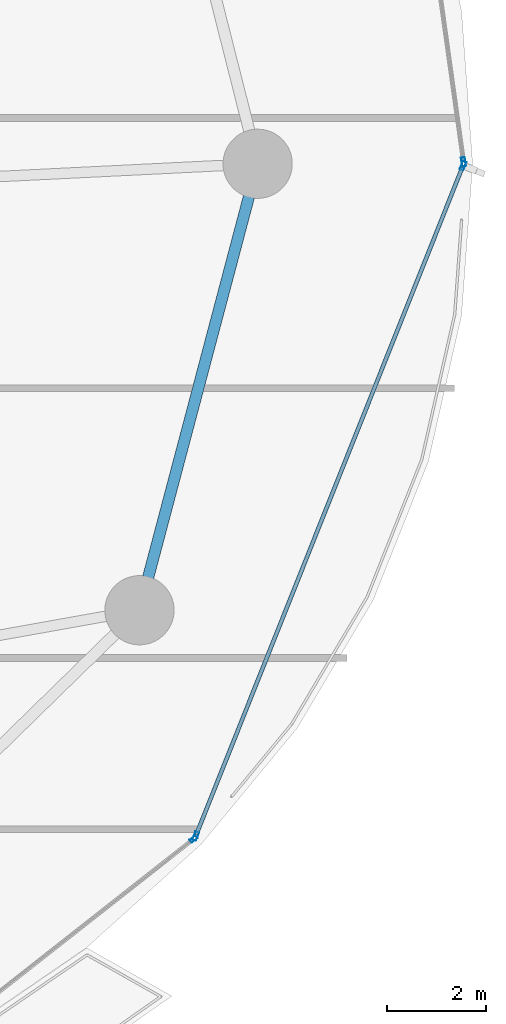
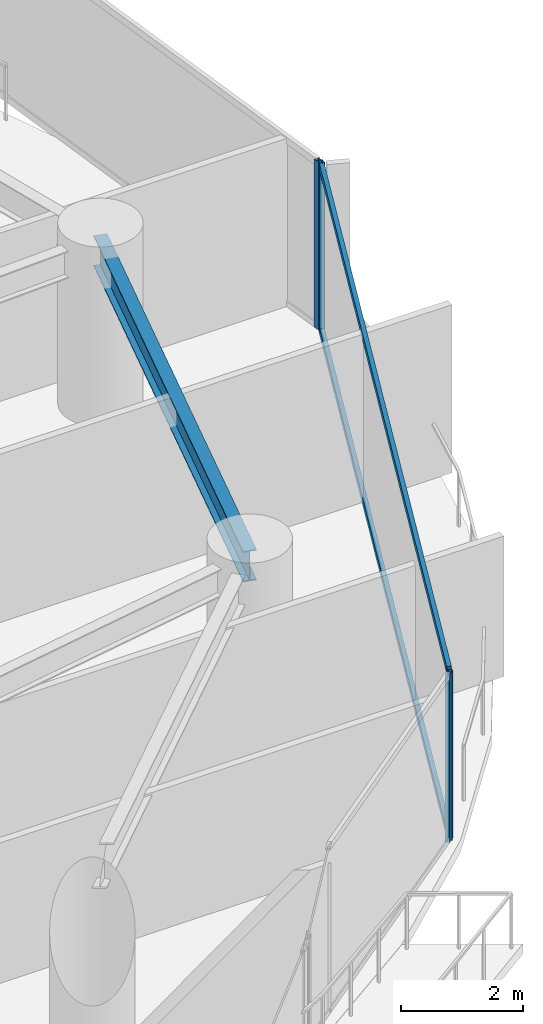
# One storey, part 22 of 31: 6 members, 1 beam, 3 elements without a shape of their own.
"""IFC4 building model written with IfcOpenShell, lengths in metres."""

import ifcopenshell
import ifcopenshell.guid

model = None  # the IFC model being written
_history = None  # IfcOwnerHistory: only IFC2X3 demands one
_inside = {}  # id of a spatial element -> (the spatial element, [elements in it])
_under = {}  # id of a project, library or spatial element -> (it, [spatial elements below it])
_declared = {}  # id of a project -> (the project, [libraries it declares])
_typed = {}  # id of a type object -> (the type object, [elements of that type])
_made_of = {}  # id of a material, layer set ... -> (it, [elements and type objects made of it])


def new_model(schema):
    """Start an empty IFC model of exactly this schema.

    Asked for "IFC4X3", IfcOpenShell would pick the latest addendum, in which some entities
    have other attributes; the version numbers below select the first issue.
    IFC2X3 requires an IfcOwnerHistory on every rooted entity: one is made here for all.
    """
    global model, _history
    if schema == "IFC4X3":
        model = ifcopenshell.file(schema_version=(4, 3, 0, 0))
    else:
        model = ifcopenshell.file(schema=schema)
    _inside.clear()
    _under.clear()
    _declared.clear()
    _typed.clear()
    _made_of.clear()
    _history = None
    if model.schema == "IFC2X3":
        org = make("IfcOrganization", Name="unknown")
        user = make(
            "IfcPersonAndOrganization",
            ThePerson=make("IfcPerson", FamilyName="unknown"),
            TheOrganization=org,
        )
        app = make(
            "IfcApplication",
            ApplicationDeveloper=org,
            Version="unknown",
            ApplicationFullName="unknown",
            ApplicationIdentifier="unknown",
        )
        _history = make(
            "IfcOwnerHistory",
            OwningUser=user,
            OwningApplication=app,
            ChangeAction="ADDED",
            CreationDate=0,
        )
    return model


def make(cls, **values):
    """One entity of the class cls with the attributes given. An attribute that is None is left unset."""
    return model.create_entity(
        cls, **{name: value for name, value in values.items() if value is not None}
    )


def rooted(cls, **values):
    """An entity with a GlobalId (a new one), such as an element, a storey or a relation."""
    return make(cls, GlobalId=ifcopenshell.guid.new(), OwnerHistory=_history, **values)


def si_unit(unit_type, name, prefix=None):
    """IfcSIUnit, for example si_unit("LENGTHUNIT", "METRE", prefix="MILLI")."""
    return make("IfcSIUnit", UnitType=unit_type, Prefix=prefix, Name=name)


def assignment(units):
    """IfcUnitAssignment: the units of a project."""
    return None if units is None else make("IfcUnitAssignment", Units=units)


def point(xyz):
    """IfcCartesianPoint."""
    return None if xyz is None else make("IfcCartesianPoint", Coordinates=xyz)


def direction(xyz):
    """IfcDirection."""
    return None if xyz is None else make("IfcDirection", DirectionRatios=xyz)


def frame(location, z_axis=None, x_axis=None):
    """IfcAxis2Placement3D, a coordinate frame: its origin and axes. An axis left out is left unset."""
    return make(
        "IfcAxis2Placement3D",
        Location=point(location),
        Axis=direction(z_axis),
        RefDirection=direction(x_axis),
    )


def frame_2d(location, x_axis=None):
    """IfcAxis2Placement2D, a coordinate frame in the plane: its origin and x axis."""
    return make(
        "IfcAxis2Placement2D", Location=point(location), RefDirection=direction(x_axis)
    )


def origin():
    """The frame at (0, 0, 0) with its axes left unset."""
    return frame((0.0, 0.0, 0.0))


def origin_2d():
    """The frame at (0, 0) in the plane with its x axis left unset."""
    return frame_2d((0.0, 0.0))


def place(relative_to, where):
    """IfcLocalPlacement: puts the frame where relative to a parent placement (None: the world)."""
    return make(
        "IfcLocalPlacement", PlacementRelTo=relative_to, RelativePlacement=where
    )


def context(
    kind, dimensions, precision=None, world=None, true_north=None, identifier=None
):
    """IfcGeometricRepresentationContext, for example the 3D "Model" context."""
    return make(
        "IfcGeometricRepresentationContext",
        ContextIdentifier=identifier,
        ContextType=kind,
        CoordinateSpaceDimension=dimensions,
        Precision=precision,
        WorldCoordinateSystem=world,
        TrueNorth=true_north,
    )


def subcontext(parent, identifier, kind, view, scale=None):
    """IfcGeometricRepresentationSubContext, for example "Body" below "Model"."""
    return make(
        "IfcGeometricRepresentationSubContext",
        ContextIdentifier=identifier,
        ContextType=kind,
        ParentContext=parent,
        TargetScale=scale,
        TargetView=view,
    )


def project(units=None, contexts=None):
    """IfcProject with its units and contexts."""
    return rooted(
        "IfcProject",
        Name="project",
        RepresentationContexts=contexts,
        UnitsInContext=assignment(units),
    )


def spatial(cls, under=None, at=None, **own):
    """A site, building, storey or space (cls), placed at a placement, below another one or the project."""
    s = rooted(cls, ObjectPlacement=at, **own)
    if under is not None:
        _under.setdefault(under.id(), (under, []))[1].append(s)
    return s


def profile(cls, at=None, kind="AREA", **sizes):
    """A parametric profile (cls). Its sizes go by their IFC names, for example OverallWidth=200.0."""
    return make(cls, ProfileType=kind, Position=at, **sizes)


def hollow_rectangle(**sizes):
    """IfcRectangleHollowProfileDef."""
    return profile("IfcRectangleHollowProfileDef", **sizes)


def i_section(**sizes):
    """IfcIShapeProfileDef."""
    return profile("IfcIShapeProfileDef", **sizes)


def extrude(swept, where, along, depth):
    """IfcExtrudedAreaSolid: the profile swept, set in the frame where, extruded along a direction by depth."""
    return make(
        "IfcExtrudedAreaSolid",
        SweptArea=swept,
        Position=where,
        ExtrudedDirection=direction(along),
        Depth=depth,
    )


def shape(context_of_items, identifier, shape_type, items):
    """IfcShapeRepresentation: the items that make up one representation, for example the "Body"."""
    return make(
        "IfcShapeRepresentation",
        ContextOfItems=context_of_items,
        RepresentationIdentifier=identifier,
        RepresentationType=shape_type,
        Items=items,
    )


def material(Name=None, Category=None):
    """IfcMaterial."""
    return make("IfcMaterial", Name=Name, Category=Category)


def layer(
    of_material, thickness, ventilated=None, Name=None, Category=None, Priority=None
):
    """IfcMaterialLayer: one layer of a wall or slab, of a material (None: an air gap)."""
    return make(
        "IfcMaterialLayer",
        Material=of_material,
        LayerThickness=thickness,
        IsVentilated=ventilated,
        Name=Name,
        Category=Category,
        Priority=Priority,
    )


def layer_set(layers, Name=None):
    """IfcMaterialLayerSet."""
    return make("IfcMaterialLayerSet", MaterialLayers=layers, LayerSetName=Name)


def material_profile(
    of_material, cross_section, Name=None, Category=None, Priority=None
):
    """IfcMaterialProfile: a cross section and its material."""
    return make(
        "IfcMaterialProfile",
        Name=Name,
        Material=of_material,
        Profile=cross_section,
        Priority=Priority,
        Category=Category,
    )


def profile_set(profiles, Name=None, composite=None):
    """IfcMaterialProfileSet."""
    return make(
        "IfcMaterialProfileSet",
        Name=Name,
        MaterialProfiles=profiles,
        CompositeProfile=composite,
    )


def made_of(thing, what):
    """Note that an element or type object is made of a material, layer set ...; save() writes the relation."""
    if what is not None:
        _made_of.setdefault(what.id(), (what, []))[1].append(thing)
    return thing


def type_object(cls, material=None, **own):
    """A type object (cls), such as IfcWallType, which elements share."""
    return made_of(rooted(cls, **own), material)


def element(
    cls,
    number,
    at=None,
    inside=None,
    cuts=None,
    type_object=None,
    material=None,
    context=None,
    identifier="Body",
    shape_type=None,
    held_by="IfcProductDefinitionShape",
    body=None,
    shapes=None,
    **own,
):
    """One element of the class cls, such as IfcWall. Its Tag is "e" and its number.

    at: its placement. inside: the storey or other place that contains it. cuts: it is an
    opening in that element (IfcRelVoidsElement). A single representation is given by context,
    identifier, shape_type and body (its items); several are given by shapes. held_by: the class
    of the entity that holds the representations. save() writes the other relations.
    """
    e = rooted(cls, Tag="e%d" % number, ObjectPlacement=at, **own)
    if body is not None:
        shapes = [shape(context, identifier, shape_type, body)]
    if shapes is not None:
        e.Representation = make(held_by, Representations=shapes)
    if inside is not None:
        _inside.setdefault(inside.id(), (inside, []))[1].append(e)
    if cuts is not None:
        rooted(
            "IfcRelVoidsElement", RelatingBuildingElement=cuts, RelatedOpeningElement=e
        )
    if type_object is not None:
        _typed.setdefault(type_object.id(), (type_object, []))[1].append(e)
    return made_of(e, material)


def aggregate(whole, parts):
    """IfcRelAggregates: a whole, such as a stair, and the parts it consists of."""
    return rooted("IfcRelAggregates", RelatingObject=whole, RelatedObjects=parts)


def save(model, path):
    """Write the relations noted so far, then the file.

    IfcRelAggregates (storeys below a building ...), IfcRelContainedInSpatialStructure (elements
    in a storey), IfcRelDefinesByType, IfcRelAssociatesMaterial and IfcRelDeclares: one each for
    every whole, place, type object, material and project.
    """
    for whole, parts in _under.values():
        aggregate(whole, parts)
    for where, things in _inside.values():
        rooted(
            "IfcRelContainedInSpatialStructure",
            RelatedElements=things,
            RelatingStructure=where,
        )
    for kind, things in _typed.values():
        rooted("IfcRelDefinesByType", RelatedObjects=things, RelatingType=kind)
    for what, things in _made_of.values():
        rooted("IfcRelAssociatesMaterial", RelatedObjects=things, RelatingMaterial=what)
    for by, libraries in _declared.values():
        rooted("IfcRelDeclares", RelatingContext=by, RelatedDefinitions=libraries)
    model.write(path)


model = new_model("IFC4")

# Units and contexts
model_context = context("Model", 3, precision=1e-05, world=origin(), true_north=direction((0.0, 1.0)))
body_context = subcontext(model_context, "Body", "Model", "MODEL_VIEW")
ifc_project = project(units=[si_unit("LENGTHUNIT", "METRE"), si_unit("AREAUNIT", "SQUARE_METRE"), si_unit("VOLUMEUNIT", "CUBIC_METRE"), si_unit("PLANEANGLEUNIT", "RADIAN"), si_unit("MASSUNIT", "GRAM", prefix="KILO")], contexts=[model_context])

# Site, building, storey
site_placement = place(None, origin())
site = spatial("IfcSite", under=ifc_project, at=site_placement, CompositionType="ELEMENT")
building_placement = place(site_placement, origin())
building = spatial("IfcBuilding", under=site, at=building_placement, Name="Kazevale Care Tower and Concert Hall", CompositionType="ELEMENT")
storey_placement = place(building_placement, frame((0.0, 0.0, 63.60009765625)))
storey = spatial("IfcBuildingStorey", under=building, at=storey_placement, Name="L16", CompositionType="ELEMENT", Elevation=63.60009765625)

# Curtain wall, members
ifc_material_1 = material(Name="Aluminium 6063-T6 and Low-E Glass", Category="aluminium")
ifc_layer_1 = layer(ifc_material_1, 0.179931640625)
ifc_layer_set_1 = layer_set([ifc_layer_1], Name="Aluminium 6063-T6 and Low-E Glass")
curtain_wall_type_1 = type_object("IfcCurtainWallType", Name="Waist & Upper Residential Curtain Wall CW-4", PredefinedType="NOTDEFINED", material=ifc_layer_set_1)
curtain_wall_1_placement = place(storey_placement, origin())
curtain_wall_1 = element("IfcCurtainWall", 1, at=curtain_wall_1_placement, inside=storey, type_object=curtain_wall_type_1, Name="cw:L16:f01", PredefinedType="NOTDEFINED")
ifc_material_2 = material(Name="Aluminium 6063-T6", Category="aluminium")
ifc_material_profile_1 = material_profile(ifc_material_2, hollow_rectangle(XDim=0.080078125, YDim=0.179931640625, WallThickness=0.0048828125, at=origin_2d()), Name="ALU80x180x5")
ifc_profile_set_1 = profile_set([ifc_material_profile_1], Name="Aluminium 6063-T6")
member_type_1 = type_object("IfcMemberType", Name="CW-4 Mullion ALU80x180x5", PredefinedType="MULLION", material=ifc_profile_set_1)
member_1_placement = place(storey_placement, frame((80.605224609375, 37.962890625, 0.0), z_axis=(0.0, 0.0, 1.0), x_axis=(0.928861412274, -0.370427424456, 0.0)))
member_1 = element("IfcMember", 2, at=member_1_placement, type_object=member_type_1, Name="CW-4 mullion 1", PredefinedType="MULLION", context=body_context, shape_type="SweptSolid", body=[
    extrude(hollow_rectangle(XDim=0.080078125, YDim=0.179931640625, WallThickness=0.0048828125, at=origin_2d()), origin(), (0.0, 0.0, 1.0), 3.35986328125),
])
member_2_placement = place(storey_placement, frame((75.19677734375, 24.401123046875, 0.0), z_axis=(0.0, 0.0, 1.0), x_axis=(0.928861412274, -0.370427424456, 0.0)))
member_2 = element("IfcMember", 3, at=member_2_placement, type_object=member_type_1, Name="CW-4 mullion 2", PredefinedType="MULLION", context=body_context, shape_type="SweptSolid", body=[
    extrude(hollow_rectangle(XDim=0.080078125, YDim=0.179931640625, WallThickness=0.0048828125, at=origin_2d()), origin(), (0.0, 0.0, 1.0), 3.35986328125),
])

# Curtain wall, member
curtain_wall_2_placement = place(storey_placement, origin())
curtain_wall_2 = element("IfcCurtainWall", 4, at=curtain_wall_2_placement, inside=storey, type_object=curtain_wall_type_1, Name="cw:L16:f18", PredefinedType="NOTDEFINED")
member_3_placement = place(storey_placement, frame((80.614501953125, 38.03955078125, 0.0), z_axis=(0.0, 0.0, 1.0), x_axis=(0.990295475282, 0.138977953775, 0.0)))
member_3 = element("IfcMember", 5, at=member_3_placement, type_object=member_type_1, Name="CW-4 mullion 2", PredefinedType="MULLION", context=body_context, shape_type="SweptSolid", body=[
    extrude(hollow_rectangle(XDim=0.080078125, YDim=0.179931640625, WallThickness=0.0048828125, at=origin_2d()), origin(), (0.0, 0.0, 1.0), 3.35986328125),
])
aggregate(curtain_wall_2, [member_3])

# Member
ifc_material_profile_2 = material_profile(ifc_material_2, hollow_rectangle(XDim=0.080078125, YDim=0.139892578125, WallThickness=0.00390625, at=origin_2d()), Name="ALU80x140x4")
ifc_profile_set_2 = profile_set([ifc_material_profile_2], Name="Aluminium 6063-T6")
member_type_2 = type_object("IfcMemberType", Name="CW-4 Transom ALU80x140x4", PredefinedType="USERDEFINED", material=ifc_profile_set_2)
member_4_placement = place(storey_placement, frame((80.59033203125, 37.92578125, 0.039794921875), z_axis=(-0.370419345682, -0.928864634026, 0.0), x_axis=(0.928864634026, -0.370419345682, 0.0)))
member_4 = element("IfcMember", 6, at=member_4_placement, type_object=member_type_2, Name="CW-4 transom 1.1", ObjectType="TRANSOM", PredefinedType="USERDEFINED", context=body_context, shape_type="SweptSolid", body=[
    extrude(hollow_rectangle(XDim=0.080078125, YDim=0.139892578125, WallThickness=0.00390625, at=origin_2d()), origin(), (0.0, 0.0, 1.0), 14.5205078125),
])

member_5_placement = place(storey_placement, frame((80.59033203125, 37.92578125, 3.31982421875), z_axis=(-0.370419345682, -0.928864634026, 0.0), x_axis=(0.928864634026, -0.370419345682, 0.0)))
member_5 = element("IfcMember", 7, at=member_5_placement, type_object=member_type_2, Name="CW-4 transom 1.2", ObjectType="TRANSOM", PredefinedType="USERDEFINED", context=body_context, shape_type="SweptSolid", body=[
    extrude(hollow_rectangle(XDim=0.080078125, YDim=0.139892578125, WallThickness=0.00390625, at=origin_2d()), origin(), (0.0, 0.0, 1.0), 14.5205078125),
])

aggregate(curtain_wall_1, [member_1, member_2, member_4, member_5])

# Curtain wall, member
ifc_layer_2 = layer(ifc_material_1, 0.179931640625)
ifc_layer_set_2 = layer_set([ifc_layer_2], Name="Aluminium 6063-T6 and Low-E Glass")
curtain_wall_type_2 = type_object("IfcCurtainWallType", Name="Sheltered Concave Balcony Curtain Wall CW-5", PredefinedType="NOTDEFINED", material=ifc_layer_set_2)
curtain_wall_3_placement = place(storey_placement, origin())
curtain_wall_3 = element("IfcCurtainWall", 8, at=curtain_wall_3_placement, inside=storey, type_object=curtain_wall_type_2, Name="cw:L16:f02", PredefinedType="NOTDEFINED")
ifc_material_profile_3 = material_profile(ifc_material_2, hollow_rectangle(XDim=0.074951171875, YDim=0.14990234375, WallThickness=0.00390625, at=origin_2d()), Name="ALU75x150x4")
ifc_profile_set_3 = profile_set([ifc_material_profile_3], Name="Aluminium 6063-T6")
member_type_3 = type_object("IfcMemberType", Name="CW-5 Mullion ALU75x150x4", PredefinedType="MULLION", material=ifc_profile_set_3)
member_6_placement = place(storey_placement, frame((75.152587890625, 24.3408203125, 0.0), z_axis=(0.0, 0.0, 1.0), x_axis=(0.617807548814, -0.78632934107, 0.0)))
member_6 = element("IfcMember", 9, at=member_6_placement, type_object=member_type_3, Name="CW-5 mullion 1", PredefinedType="MULLION", context=body_context, shape_type="SweptSolid", body=[
    extrude(hollow_rectangle(XDim=0.074951171875, YDim=0.14990234375, WallThickness=0.00390625, at=origin_2d()), origin(), (0.0, 0.0, 1.0), 3.35986328125),
])
aggregate(curtain_wall_3, [member_6])

# Beam
ifc_material_3 = material(Name="Steel ASTM A572 Gr 50", Category="steel")
ifc_material_profile_4 = material_profile(ifc_material_3, i_section(OverallWidth=0.22900390625, OverallDepth=0.612060546875, WebThickness=0.011962890625, FlangeThickness=0.01953125, at=origin_2d()), Name="W610x125")
ifc_profile_set_4 = profile_set([ifc_material_profile_4], Name="Steel ASTM A572 Gr 50")
beam_type = type_object("IfcBeamType", Name="Ring Spandrel Beam W610x125", PredefinedType="SPANDREL", material=ifc_profile_set_4)
beam_placement = place(storey_placement, frame((74.06005859375, 28.969970703125, 3.053955078125), z_axis=(0.255851611973, 0.966716066201, 0.0), x_axis=(-0.966716066201, 0.255851611973, 0.0)))
element("IfcBeam", 10, at=beam_placement, inside=storey, type_object=beam_type, Name="beam:L16:ring:16", PredefinedType="SPANDREL", context=body_context, shape_type="SweptSolid", body=[
    extrude(i_section(OverallWidth=0.22900390625, OverallDepth=0.612060546875, WebThickness=0.011962890625, FlangeThickness=0.01953125, at=origin_2d()), origin(), (0.0, 0.0, 1.0), 9.3408203125),
])

save(model, "model.ifc")
